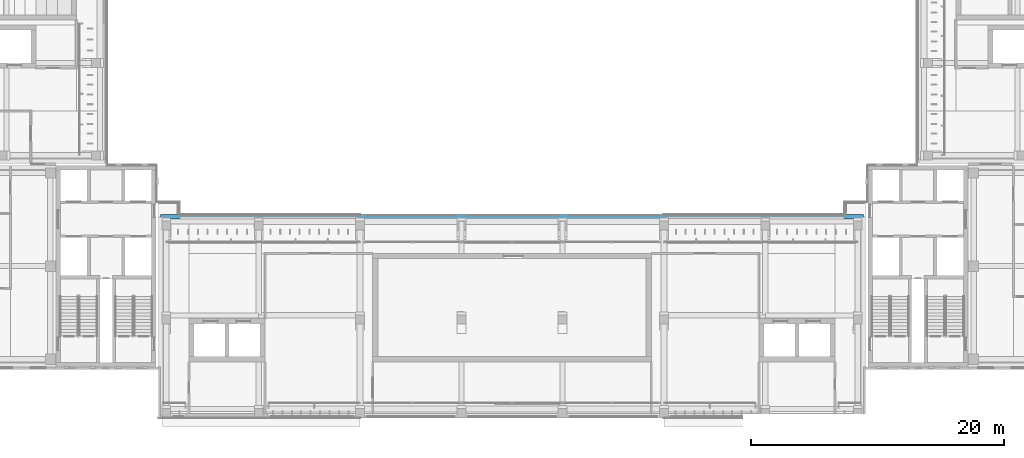
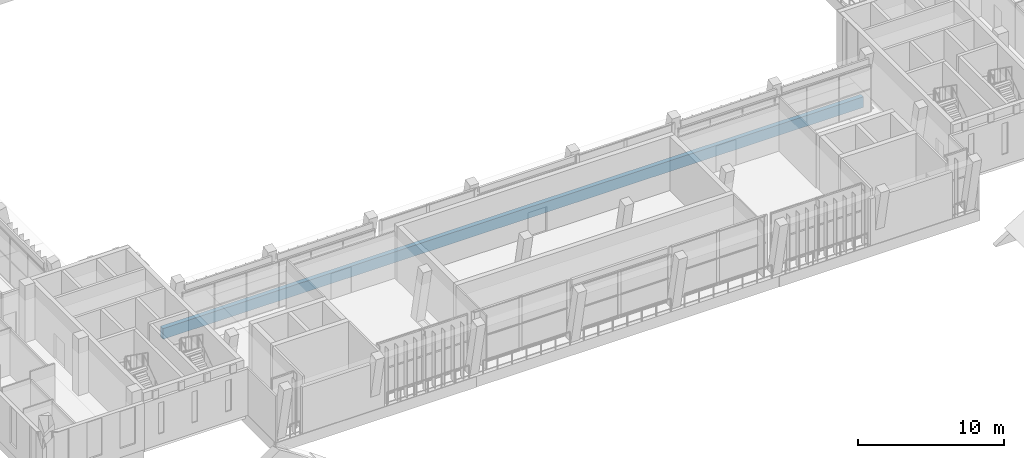
# One storey, part 10 of 74: 1 beam.
"""IFC4 building model written with IfcOpenShell, lengths in metres."""

import ifcopenshell
import ifcopenshell.guid

model = None  # the IFC model being written
_history = None  # IfcOwnerHistory: only IFC2X3 demands one
_inside = {}  # id of a spatial element -> (the spatial element, [elements in it])
_under = {}  # id of a project, library or spatial element -> (it, [spatial elements below it])
_declared = {}  # id of a project -> (the project, [libraries it declares])
_typed = {}  # id of a type object -> (the type object, [elements of that type])
_made_of = {}  # id of a material, layer set ... -> (it, [elements and type objects made of it])


def new_model(schema):
    """Start an empty IFC model of exactly this schema.

    Asked for "IFC4X3", IfcOpenShell would pick the latest addendum, in which some entities
    have other attributes; the version numbers below select the first issue.
    IFC2X3 requires an IfcOwnerHistory on every rooted entity: one is made here for all.
    """
    global model, _history
    if schema == "IFC4X3":
        model = ifcopenshell.file(schema_version=(4, 3, 0, 0))
    else:
        model = ifcopenshell.file(schema=schema)
    _inside.clear()
    _under.clear()
    _declared.clear()
    _typed.clear()
    _made_of.clear()
    _history = None
    if model.schema == "IFC2X3":
        org = make("IfcOrganization", Name="unknown")
        user = make(
            "IfcPersonAndOrganization",
            ThePerson=make("IfcPerson", FamilyName="unknown"),
            TheOrganization=org,
        )
        app = make(
            "IfcApplication",
            ApplicationDeveloper=org,
            Version="unknown",
            ApplicationFullName="unknown",
            ApplicationIdentifier="unknown",
        )
        _history = make(
            "IfcOwnerHistory",
            OwningUser=user,
            OwningApplication=app,
            ChangeAction="ADDED",
            CreationDate=0,
        )
    return model


def make(cls, **values):
    """One entity of the class cls with the attributes given. An attribute that is None is left unset."""
    return model.create_entity(
        cls, **{name: value for name, value in values.items() if value is not None}
    )


def rooted(cls, **values):
    """An entity with a GlobalId (a new one), such as an element, a storey or a relation."""
    return make(cls, GlobalId=ifcopenshell.guid.new(), OwnerHistory=_history, **values)


def si_unit(unit_type, name, prefix=None):
    """IfcSIUnit, for example si_unit("LENGTHUNIT", "METRE", prefix="MILLI")."""
    return make("IfcSIUnit", UnitType=unit_type, Prefix=prefix, Name=name)


def assignment(units):
    """IfcUnitAssignment: the units of a project."""
    return None if units is None else make("IfcUnitAssignment", Units=units)


def point(xyz):
    """IfcCartesianPoint."""
    return None if xyz is None else make("IfcCartesianPoint", Coordinates=xyz)


def direction(xyz):
    """IfcDirection."""
    return None if xyz is None else make("IfcDirection", DirectionRatios=xyz)


def frame(location, z_axis=None, x_axis=None):
    """IfcAxis2Placement3D, a coordinate frame: its origin and axes. An axis left out is left unset."""
    return make(
        "IfcAxis2Placement3D",
        Location=point(location),
        Axis=direction(z_axis),
        RefDirection=direction(x_axis),
    )


def frame_2d(location, x_axis=None):
    """IfcAxis2Placement2D, a coordinate frame in the plane: its origin and x axis."""
    return make(
        "IfcAxis2Placement2D", Location=point(location), RefDirection=direction(x_axis)
    )


def origin():
    """The frame at (0, 0, 0) with its axes left unset."""
    return frame((0.0, 0.0, 0.0))


def origin_2d():
    """The frame at (0, 0) in the plane with its x axis left unset."""
    return frame_2d((0.0, 0.0))


def place(relative_to, where):
    """IfcLocalPlacement: puts the frame where relative to a parent placement (None: the world)."""
    return make(
        "IfcLocalPlacement", PlacementRelTo=relative_to, RelativePlacement=where
    )


def context(
    kind, dimensions, precision=None, world=None, true_north=None, identifier=None
):
    """IfcGeometricRepresentationContext, for example the 3D "Model" context."""
    return make(
        "IfcGeometricRepresentationContext",
        ContextIdentifier=identifier,
        ContextType=kind,
        CoordinateSpaceDimension=dimensions,
        Precision=precision,
        WorldCoordinateSystem=world,
        TrueNorth=true_north,
    )


def subcontext(parent, identifier, kind, view, scale=None):
    """IfcGeometricRepresentationSubContext, for example "Body" below "Model"."""
    return make(
        "IfcGeometricRepresentationSubContext",
        ContextIdentifier=identifier,
        ContextType=kind,
        ParentContext=parent,
        TargetScale=scale,
        TargetView=view,
    )


def project(units=None, contexts=None):
    """IfcProject with its units and contexts."""
    return rooted(
        "IfcProject",
        Name="project",
        RepresentationContexts=contexts,
        UnitsInContext=assignment(units),
    )


def spatial(cls, under=None, at=None, **own):
    """A site, building, storey or space (cls), placed at a placement, below another one or the project."""
    s = rooted(cls, ObjectPlacement=at, **own)
    if under is not None:
        _under.setdefault(under.id(), (under, []))[1].append(s)
    return s


def profile(cls, at=None, kind="AREA", **sizes):
    """A parametric profile (cls). Its sizes go by their IFC names, for example OverallWidth=200.0."""
    return make(cls, ProfileType=kind, Position=at, **sizes)


def rectangle(**sizes):
    """IfcRectangleProfileDef."""
    return profile("IfcRectangleProfileDef", **sizes)


def extrude(swept, where, along, depth):
    """IfcExtrudedAreaSolid: the profile swept, set in the frame where, extruded along a direction by depth."""
    return make(
        "IfcExtrudedAreaSolid",
        SweptArea=swept,
        Position=where,
        ExtrudedDirection=direction(along),
        Depth=depth,
    )


def shape(context_of_items, identifier, shape_type, items):
    """IfcShapeRepresentation: the items that make up one representation, for example the "Body"."""
    return make(
        "IfcShapeRepresentation",
        ContextOfItems=context_of_items,
        RepresentationIdentifier=identifier,
        RepresentationType=shape_type,
        Items=items,
    )


def material(Name=None, Category=None):
    """IfcMaterial."""
    return make("IfcMaterial", Name=Name, Category=Category)


def material_profile(
    of_material, cross_section, Name=None, Category=None, Priority=None
):
    """IfcMaterialProfile: a cross section and its material."""
    return make(
        "IfcMaterialProfile",
        Name=Name,
        Material=of_material,
        Profile=cross_section,
        Priority=Priority,
        Category=Category,
    )


def profile_set(profiles, Name=None, composite=None):
    """IfcMaterialProfileSet."""
    return make(
        "IfcMaterialProfileSet",
        Name=Name,
        MaterialProfiles=profiles,
        CompositeProfile=composite,
    )


def made_of(thing, what):
    """Note that an element or type object is made of a material, layer set ...; save() writes the relation."""
    if what is not None:
        _made_of.setdefault(what.id(), (what, []))[1].append(thing)
    return thing


def type_object(cls, material=None, **own):
    """A type object (cls), such as IfcWallType, which elements share."""
    return made_of(rooted(cls, **own), material)


def element(
    cls,
    number,
    at=None,
    inside=None,
    cuts=None,
    type_object=None,
    material=None,
    context=None,
    identifier="Body",
    shape_type=None,
    held_by="IfcProductDefinitionShape",
    body=None,
    shapes=None,
    **own,
):
    """One element of the class cls, such as IfcWall. Its Tag is "e" and its number.

    at: its placement. inside: the storey or other place that contains it. cuts: it is an
    opening in that element (IfcRelVoidsElement). A single representation is given by context,
    identifier, shape_type and body (its items); several are given by shapes. held_by: the class
    of the entity that holds the representations. save() writes the other relations.
    """
    e = rooted(cls, Tag="e%d" % number, ObjectPlacement=at, **own)
    if body is not None:
        shapes = [shape(context, identifier, shape_type, body)]
    if shapes is not None:
        e.Representation = make(held_by, Representations=shapes)
    if inside is not None:
        _inside.setdefault(inside.id(), (inside, []))[1].append(e)
    if cuts is not None:
        rooted(
            "IfcRelVoidsElement", RelatingBuildingElement=cuts, RelatedOpeningElement=e
        )
    if type_object is not None:
        _typed.setdefault(type_object.id(), (type_object, []))[1].append(e)
    return made_of(e, material)


def aggregate(whole, parts):
    """IfcRelAggregates: a whole, such as a stair, and the parts it consists of."""
    return rooted("IfcRelAggregates", RelatingObject=whole, RelatedObjects=parts)


def save(model, path):
    """Write the relations noted so far, then the file.

    IfcRelAggregates (storeys below a building ...), IfcRelContainedInSpatialStructure (elements
    in a storey), IfcRelDefinesByType, IfcRelAssociatesMaterial and IfcRelDeclares: one each for
    every whole, place, type object, material and project.
    """
    for whole, parts in _under.values():
        aggregate(whole, parts)
    for where, things in _inside.values():
        rooted(
            "IfcRelContainedInSpatialStructure",
            RelatedElements=things,
            RelatingStructure=where,
        )
    for kind, things in _typed.values():
        rooted("IfcRelDefinesByType", RelatedObjects=things, RelatingType=kind)
    for what, things in _made_of.values():
        rooted("IfcRelAssociatesMaterial", RelatedObjects=things, RelatingMaterial=what)
    for by, libraries in _declared.values():
        rooted("IfcRelDeclares", RelatingContext=by, RelatedDefinitions=libraries)
    model.write(path)


model = new_model("IFC4")

# Units and contexts
model_context = context("Model", 3, precision=1e-05, world=origin(), true_north=direction((0.0, 1.0)))
body_context = subcontext(model_context, "Body", "Model", "MODEL_VIEW")
ifc_project = project(units=[si_unit("LENGTHUNIT", "METRE"), si_unit("AREAUNIT", "SQUARE_METRE"), si_unit("VOLUMEUNIT", "CUBIC_METRE"), si_unit("PLANEANGLEUNIT", "RADIAN"), si_unit("MASSUNIT", "GRAM", prefix="KILO")], contexts=[model_context])

# Site, building, storey
site_placement = place(None, origin())
site = spatial("IfcSite", under=ifc_project, at=site_placement, CompositionType="ELEMENT")
building_placement = place(site_placement, origin())
building = spatial("IfcBuilding", under=site, at=building_placement, Name="Lantern Court Media Centre", CompositionType="ELEMENT")
storey_placement = place(building_placement, frame((0.0, 0.0, 19.199951171875)))
storey = spatial("IfcBuildingStorey", under=building, at=storey_placement, Name="L04", CompositionType="ELEMENT", Elevation=19.199951171875)

# Beam
ifc_material = material(Name="Concrete C35", Category="concrete")
ifc_material_profile = material_profile(ifc_material, rectangle(XDim=0.35009765625, YDim=0.89990234375, at=origin_2d()), Name="RC 350x900")
ifc_profile_set = profile_set([ifc_material_profile], Name="Concrete C35")
beam_type = type_object("IfcBeamType", Name="RC BEAM 350x900", PredefinedType="BEAM", material=ifc_profile_set)
beam_placement = place(storey_placement, frame((24.25, 59.85009765625, -0.449951171875), z_axis=(1.0, 0.0, 0.0), x_axis=(0.0, 1.0, 0.0)))
element("IfcBeam", 1, at=beam_placement, inside=storey, type_object=beam_type, Name="EB-S-L04-B", PredefinedType="BEAM", context=body_context, shape_type="SweptSolid", body=[
    extrude(rectangle(XDim=0.35009765625, YDim=0.89990234375, at=origin_2d()), origin(), (0.0, 0.0, 1.0), 55.5),
])

save(model, "model.ifc")
